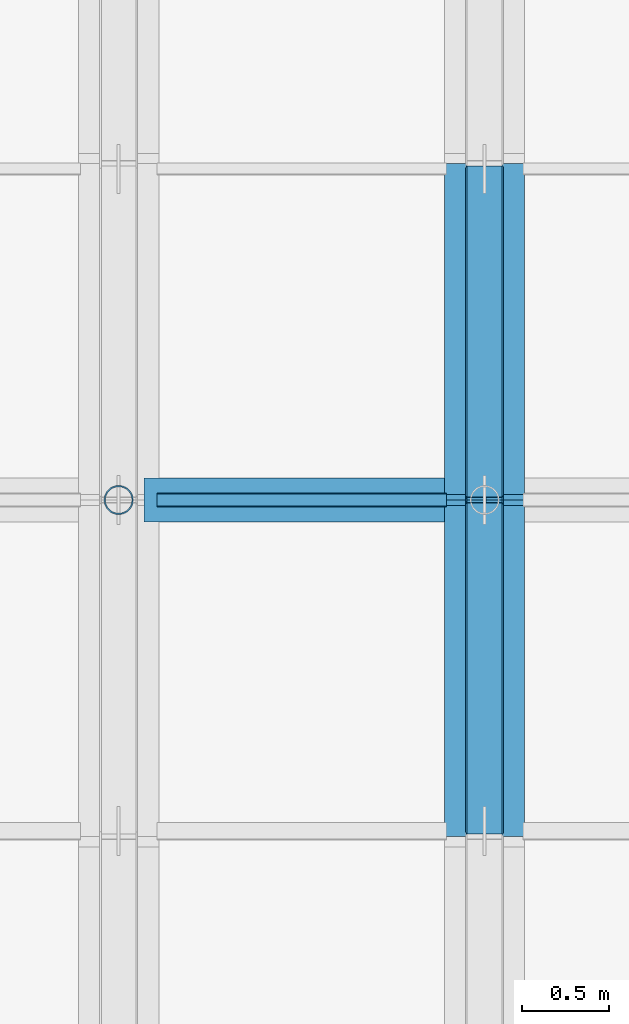
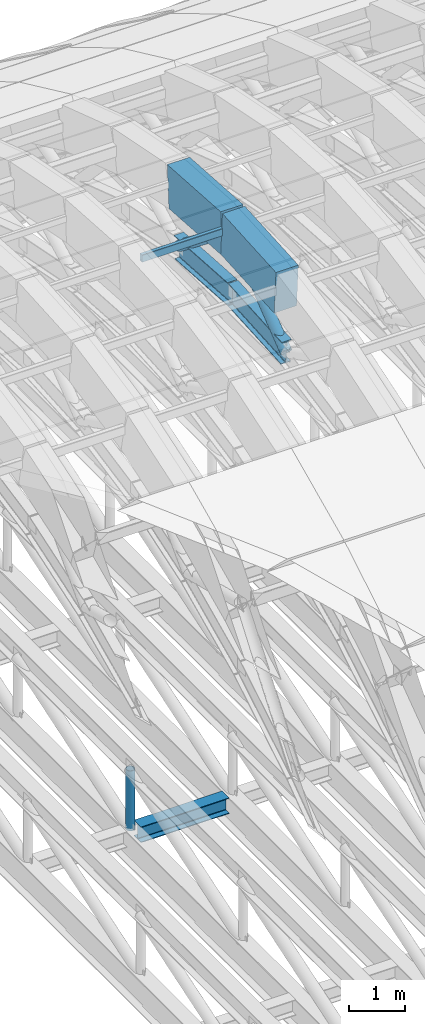
# One storey, part 18 of 67: 5 beams, 4 members.
"""IFC4 building model written with IfcOpenShell, lengths in metres."""

from ifc_helpers import new_model, si_unit, direction, frame, origin, origin_2d, place, context, subcontext, project, spatial, rectangle, hollow_rectangle, hollow_circle, i_section, extrude, material, material_profile, profile_set, type_object, element, save


model = new_model("IFC4")

# Units and contexts
model_context = context("Model", 3, precision=1e-05, world=origin(), true_north=direction((0.0, 1.0)))
body_context = subcontext(model_context, "Body", "Model", "MODEL_VIEW")
ifc_project = project(units=[si_unit("LENGTHUNIT", "METRE"), si_unit("AREAUNIT", "SQUARE_METRE"), si_unit("VOLUMEUNIT", "CUBIC_METRE"), si_unit("PLANEANGLEUNIT", "RADIAN"), si_unit("MASSUNIT", "GRAM", prefix="KILO")], contexts=[model_context])

# Site, building, storey
site_placement = place(None, origin())
site = spatial("IfcSite", under=ifc_project, at=site_placement, CompositionType="ELEMENT")
building_placement = place(site_placement, origin())
building = spatial("IfcBuilding", under=site, at=building_placement, Name="Shengluoqiao Park Theatre", CompositionType="ELEMENT")
storey_placement = place(building_placement, frame((0.0, 0.0, 28.60009765625)))
storey = spatial("IfcBuildingStorey", under=building, at=storey_placement, Name="Roof", CompositionType="ELEMENT", Elevation=28.60009765625)

# Beams
ifc_material_1 = material(Name="Concrete C50", Category="concrete")
ifc_material_profile_1 = material_profile(ifc_material_1, rectangle(XDim=0.4599609375, YDim=0.919921875, at=origin_2d()), Name="RC ARCH 460x920")
ifc_profile_set_1 = profile_set([ifc_material_profile_1], Name="Concrete C50")
beam_type_1 = type_object("IfcBeamType", Name="STR-BM-AR-4609", PredefinedType="BEAM", material=ifc_profile_set_1)
for number, where, z_axis, x_axis, name in (
    (1, (67.5, 93.10009765625, 2.453857421875), (0.0, 0.997808922354, 0.066161578506), (-1.0, 0.0, 0.0), "Barrel-Shell Arch Rib R12-S10"),
    (2, (67.5, 95.0, 2.579833984375), (0.0, 0.997808922354, -0.066161578506), (-1.0, 0.0, 0.0), "Barrel-Shell Arch Rib R12-S11"),
):
    element("IfcBeam", number, at=place(storey_placement, frame(where, z_axis=z_axis, x_axis=x_axis)), inside=storey, type_object=beam_type_1, Name=name, PredefinedType="BEAM", context=body_context, shape_type="SweptSolid", body=[
        extrude(rectangle(XDim=0.4599609375, YDim=0.919921875, at=origin_2d()), origin(), (0.0, 0.0, 1.0), 1.904052734375),
    ])
ifc_material_2 = material(Name="Steel Q355", Category="steel")
ifc_material_profile_2 = material_profile(ifc_material_2, i_section(OverallWidth=0.25, OverallDepth=0.340087890625, WebThickness=0.009033203125, FlangeThickness=0.013916015625, FilletRadius=0.01611328125, at=origin_2d()), Name="HM 340x250x9x14")
ifc_profile_set_2 = profile_set([ifc_material_profile_2], Name="Steel Q355")
beam_type_2 = type_object("IfcBeamType", Name="STR-BM-G-HM340", PredefinedType="BEAM", material=ifc_profile_set_2)
beam_placement = place(storey_placement, frame((65.5439453125, 95.0, -9.77001953125), z_axis=(1.0, 0.0, 0.0), x_axis=(0.0, 1.0, 0.0)))
element("IfcBeam", 3, at=beam_placement, inside=storey, type_object=beam_type_2, Name="Auditorium Overhead Catwalk Girder R11-3", PredefinedType="BEAM", context=body_context, shape_type="SweptSolid", body=[
    extrude(i_section(OverallWidth=0.25, OverallDepth=0.340087890625, WebThickness=0.009033203125, FlangeThickness=0.013916015625, FilletRadius=0.01611328125, at=origin_2d()), origin(), (0.0, 0.0, 1.0), 1.81201171875),
])
ifc_material_profile_3 = material_profile(ifc_material_2, i_section(OverallWidth=0.199951171875, OverallDepth=0.5, WebThickness=0.010009765625, FlangeThickness=0.01611328125, FilletRadius=0.01806640625, at=origin_2d()), Name="HN 500x200x10x16")
ifc_profile_set_3 = profile_set([ifc_material_profile_3], Name="Steel Q355")
beam_type_3 = type_object("IfcBeamType", Name="STR-BM-J-HN500", PredefinedType="JOIST", material=ifc_profile_set_3)
for number, where, z_axis, x_axis, name in (
    (4, (67.5, 93.10009765625, 1.093994140625), (0.0, 0.997808922354, 0.066161578506), (-1.0, 0.0, 0.0), "Barrel-Shell Lower Arch Chord R12-S10"),
    (5, (67.5, 95.0, 1.219970703125), (0.0, 0.997808922354, -0.066161578506), (-1.0, 0.0, 0.0), "Barrel-Shell Lower Arch Chord R12-S11"),
):
    element("IfcBeam", number, at=place(storey_placement, frame(where, z_axis=z_axis, x_axis=x_axis)), inside=storey, type_object=beam_type_3, Name=name, PredefinedType="JOIST", context=body_context, shape_type="SweptSolid", body=[
        extrude(i_section(OverallWidth=0.199951171875, OverallDepth=0.5, WebThickness=0.010009765625, FlangeThickness=0.01611328125, FilletRadius=0.01806640625, at=origin_2d()), origin(), (0.0, 0.0, 1.0), 1.904052734375),
    ])

# Members
ifc_material_profile_4 = material_profile(ifc_material_2, hollow_circle(Radius=0.109619140625, WallThickness=0.010009765625, at=origin_2d()), Name="CHS 219x10")
ifc_profile_set_4 = profile_set([ifc_material_profile_4], Name="Steel Q355")
member_type_1 = type_object("IfcMemberType", Name="STR-MEM-BRC-219", PredefinedType="BRACE", material=ifc_profile_set_4)
for number, where, z_axis, x_axis, name in (
    (6, (67.5, 93.10009765625, 1.093994140625), (0.0, 0.787714283449, 0.616040751615), (-1.0, 0.0, 0.0), "Barrel-Shell Arch Truss Web 0230"),
    (7, (67.5, 95.0, 2.579833984375), (0.0, 0.787714283449, -0.616040751615), (-1.0, 0.0, 0.0), "Barrel-Shell Arch Truss Web 0231"),
):
    element("IfcMember", number, at=place(storey_placement, frame(where, z_axis=z_axis, x_axis=x_axis)), inside=storey, type_object=member_type_1, Name=name, PredefinedType="BRACE", context=body_context, shape_type="SweptSolid", body=[
        extrude(hollow_circle(Radius=0.109619140625, WallThickness=0.010009765625, at=origin_2d()), origin(), (0.0, 0.0, 1.0), 2.411865234375),
    ])
ifc_material_profile_5 = material_profile(ifc_material_2, hollow_rectangle(XDim=0.080078125, YDim=0.159912109375, WallThickness=0.006103515625, InnerFilletRadius=0.006103515625, OuterFilletRadius=0.011962890625, at=origin_2d()), Name="RHS 160x80x6")
ifc_profile_set_5 = profile_set([ifc_material_profile_5], Name="Steel Q355")
member_type_2 = type_object("IfcMemberType", Name="STR-MEM-PU-R160", PredefinedType="PURLIN", material=ifc_profile_set_5)
member_1_placement = place(storey_placement, frame((65.6201171875, 95.0, 2.639892578125), z_axis=(1.0, 0.0, 0.0), x_axis=(0.0, 1.0, 0.0)))
element("IfcMember", 8, at=member_1_placement, inside=storey, type_object=member_type_2, Name="Shell Longitudinal Purlin 0200", PredefinedType="PURLIN", context=body_context, shape_type="SweptSolid", body=[
    extrude(hollow_rectangle(XDim=0.080078125, YDim=0.159912109375, WallThickness=0.006103515625, InnerFilletRadius=0.006103515625, OuterFilletRadius=0.011962890625, at=origin_2d()), origin(), (0.0, 0.0, 1.0), 1.659912109375),
])
ifc_material_profile_6 = material_profile(ifc_material_2, hollow_circle(Radius=0.083984375, WallThickness=0.008056640625, at=origin_2d()), Name="CHS 168x8")
ifc_profile_set_6 = profile_set([ifc_material_profile_6], Name="Steel Q355")
member_type_3 = type_object("IfcMemberType", Name="STR-MEM-STC-168", PredefinedType="STRUT", material=ifc_profile_set_6)
member_2_placement = place(storey_placement, frame((65.39990234375, 95.0, -9.650146484375), z_axis=(0.0, 0.0, 1.0), x_axis=(1.0, 0.0, 0.0)))
element("IfcMember", 9, at=member_2_placement, inside=storey, type_object=member_type_3, Name="Acoustic Tie Truss Strut 0022", PredefinedType="STRUT", context=body_context, shape_type="SweptSolid", body=[
    extrude(hollow_circle(Radius=0.083984375, WallThickness=0.008056640625, at=origin_2d()), origin(), (0.0, 0.0, 1.0), 1.300048828125),
])

save(model, "model.ifc")
